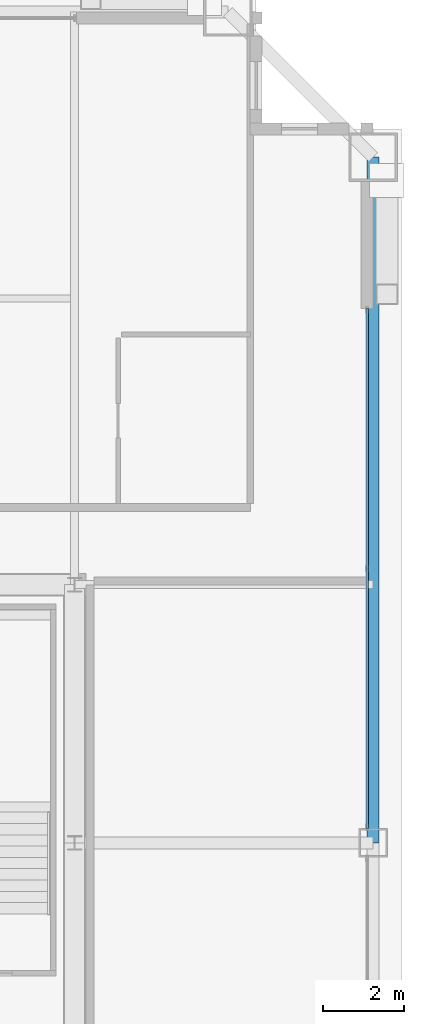
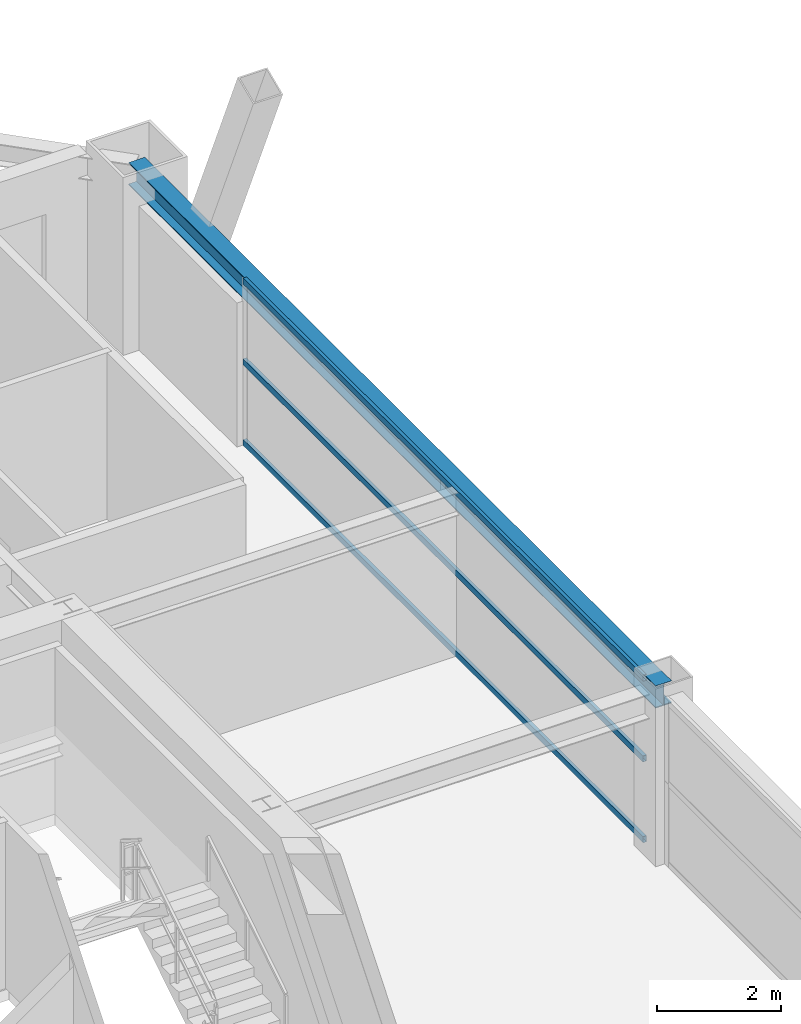
# One storey, part 20 of 35: 3 members, 1 beam, 1 element without a shape of its own.
"""IFC4 building model written with IfcOpenShell, lengths in metres."""

from ifc_helpers import new_model, si_unit, direction, frame, origin, origin_2d, place, context, subcontext, project, spatial, hollow_rectangle, i_section, extrude, source, transform, mapped, material, layer, layer_set, material_profile, profile_set, type_object, element, aggregate, save


model = new_model("IFC4")

# Units and contexts
model_context = context("Model", 3, precision=1e-05, world=origin(), true_north=direction((0.0, 1.0)))
body_context = subcontext(model_context, "Body", "Model", "MODEL_VIEW")
ifc_project = project(units=[si_unit("LENGTHUNIT", "METRE"), si_unit("AREAUNIT", "SQUARE_METRE"), si_unit("VOLUMEUNIT", "CUBIC_METRE"), si_unit("PLANEANGLEUNIT", "RADIAN"), si_unit("MASSUNIT", "GRAM", prefix="KILO"), si_unit("THERMODYNAMICTEMPERATUREUNIT", "KELVIN"), si_unit("POWERUNIT", "WATT")], contexts=[model_context])

# Site, building, storey
site_placement = place(None, origin())
site = spatial("IfcSite", under=ifc_project, at=site_placement, CompositionType="ELEMENT")
building_placement = place(site_placement, origin())
building = spatial("IfcBuilding", under=site, at=building_placement, Name="Yuzanri Waterfront Tower", CompositionType="ELEMENT")
storey_placement = place(building_placement, frame((0.0, 0.0, 271.60009765625)))
storey = spatial("IfcBuildingStorey", under=building, at=storey_placement, Name="L72", CompositionType="ELEMENT", Elevation=271.60009765625)

# Beam
ifc_material_1 = material(Name="Steel Q355B", Category="steel")
ifc_material_profile_1 = material_profile(ifc_material_1, i_section(OverallWidth=0.300048828125, OverallDepth=0.43994140625, WebThickness=0.010986328125, FlangeThickness=0.01806640625, at=origin_2d()), Name="HM 440x300x11x18")
ifc_profile_set_1 = profile_set([ifc_material_profile_1], Name="Steel Q355B")
beam_type = type_object("IfcBeamType", Name="Perimeter Spandrel Q355B HM 440x300", PredefinedType="SPANDREL", material=ifc_profile_set_1)
shared_shape_1 = source(origin(), body_context, "Body", "SweptSolid", [
    extrude(i_section(OverallWidth=0.300048828125, OverallDepth=0.43994140625, WebThickness=0.010986328125, FlangeThickness=0.01806640625, at=origin_2d()), origin(), (0.0, 0.0, 1.0), 17.0),
])
beam_placement = place(storey_placement, frame((57.60009765625, 25.800048828125, 3.059814453125), z_axis=(0.0, 1.0, 0.0), x_axis=(-1.0, 0.0, 0.0)))
element("IfcBeam", 1, at=beam_placement, inside=storey, type_object=beam_type, Name="L72 Perimeter Spandrel E2-E3", PredefinedType="SPANDREL", context=body_context, shape_type="MappedRepresentation", body=[
    mapped(shared_shape_1, transform((0.0, 0.0, 0.0), scale=1.0)),
])

# Curtain wall, members
ifc_material_2 = material(Name="Anodized Architectural Bronze", Category="metal")
ifc_layer = layer(ifc_material_2, 0.159912109375)
ifc_layer_set = layer_set([ifc_layer], Name="Anodized Architectural Bronze")
curtain_wall_type = type_object("IfcCurtainWallType", Name="Anodized Bronze Mid-Rise Residential Acoustic Unitized Curtain Wall 7200", PredefinedType="NOTDEFINED", material=ifc_layer_set)
curtain_wall_placement = place(storey_placement, origin())
curtain_wall = element("IfcCurtainWall", 2, at=curtain_wall_placement, inside=storey, type_object=curtain_wall_type, Name="L72 Curtain Wall CW-L72-ER", PredefinedType="NOTDEFINED")
ifc_material_3 = material(Name="Anodized Architectural Bronze", Category="metal")
ifc_material_profile_2 = material_profile(ifc_material_3, hollow_rectangle(XDim=0.06494140625, YDim=0.1201171875, WallThickness=0.00341796875, at=origin_2d()), Name="CWT 65x120")
ifc_profile_set_2 = profile_set([ifc_material_profile_2], Name="Anodized Architectural Bronze")
member_type = type_object("IfcMemberType", Name="Anodized Bronze Secondary Curtain-Wall Transom 65x120", PredefinedType="USERDEFINED", material=ifc_profile_set_2)
shared_shape_2 = source(origin(), body_context, "Body", "SweptSolid", [
    extrude(hollow_rectangle(XDim=0.06494140625, YDim=0.1201171875, WallThickness=0.00341796875, at=origin_2d()), origin(), (0.0, 0.0, 1.0), 12.900146484375),
])
member_1_placement = place(storey_placement, frame((57.449951171875, 26.14990234375, 0.0498046875), z_axis=(0.0, 1.0, 0.0), x_axis=(-1.0, 0.0, 0.0)))
member_1 = element("IfcMember", 3, at=member_1_placement, type_object=member_type, Name="CW-L72-ER Transom 1", ObjectType="TRANSOM", PredefinedType="USERDEFINED", context=body_context, shape_type="MappedRepresentation", body=[
    mapped(shared_shape_2, transform((0.0, 0.0, 0.0), scale=1.0)),
])
member_2_placement = place(storey_placement, frame((57.449951171875, 26.14990234375, 1.639892578125), z_axis=(0.0, 1.0, 0.0), x_axis=(-1.0, 0.0, 0.0)))
member_2 = element("IfcMember", 4, at=member_2_placement, type_object=member_type, Name="CW-L72-ER Transom 2", ObjectType="TRANSOM", PredefinedType="USERDEFINED", context=body_context, shape_type="MappedRepresentation", body=[
    mapped(shared_shape_2, transform((0.0, 0.0, 0.0), scale=1.0)),
])
member_3_placement = place(storey_placement, frame((57.449951171875, 26.14990234375, 3.22998046875), z_axis=(0.0, 1.0, 0.0), x_axis=(-1.0, 0.0, 0.0)))
member_3 = element("IfcMember", 5, at=member_3_placement, type_object=member_type, Name="CW-L72-ER Transom 3", ObjectType="TRANSOM", PredefinedType="USERDEFINED", context=body_context, shape_type="MappedRepresentation", body=[
    mapped(shared_shape_2, transform((0.0, 0.0, 0.0), scale=1.0)),
])
aggregate(curtain_wall, [member_1, member_2, member_3])

save(model, "model.ifc")
